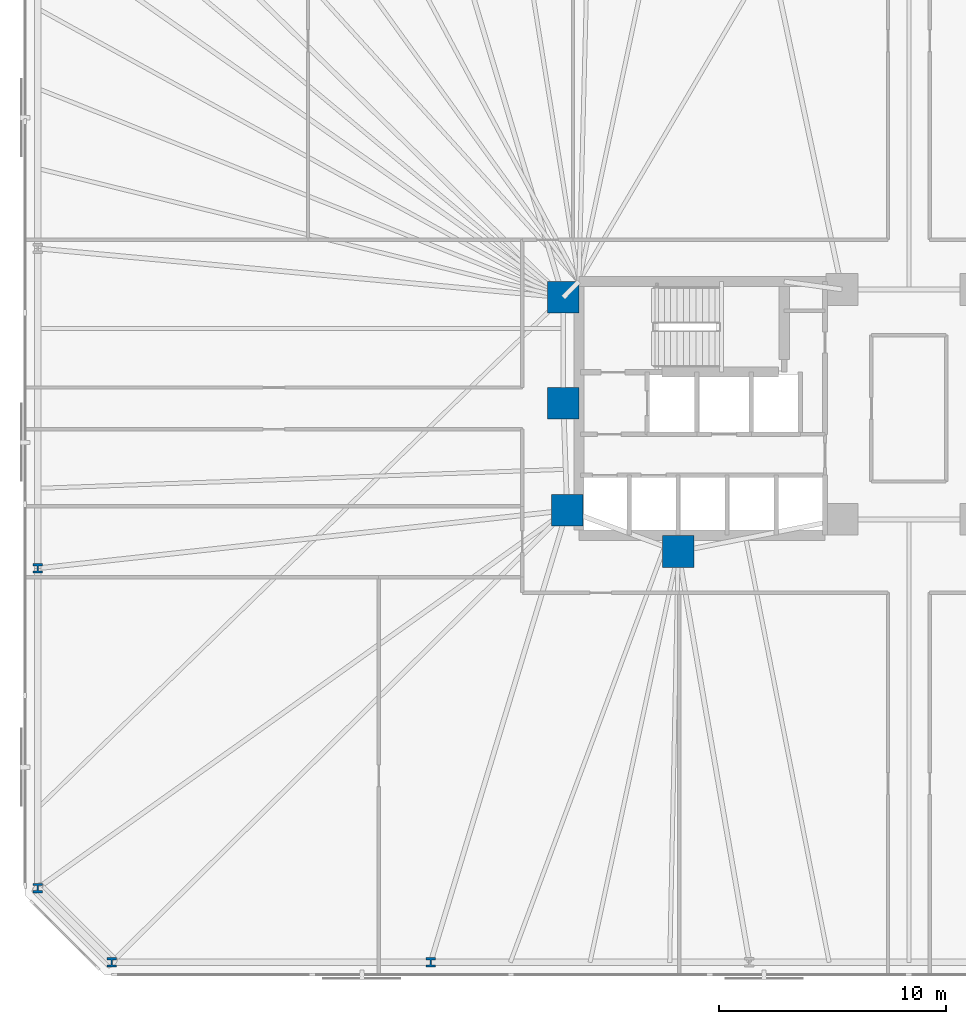
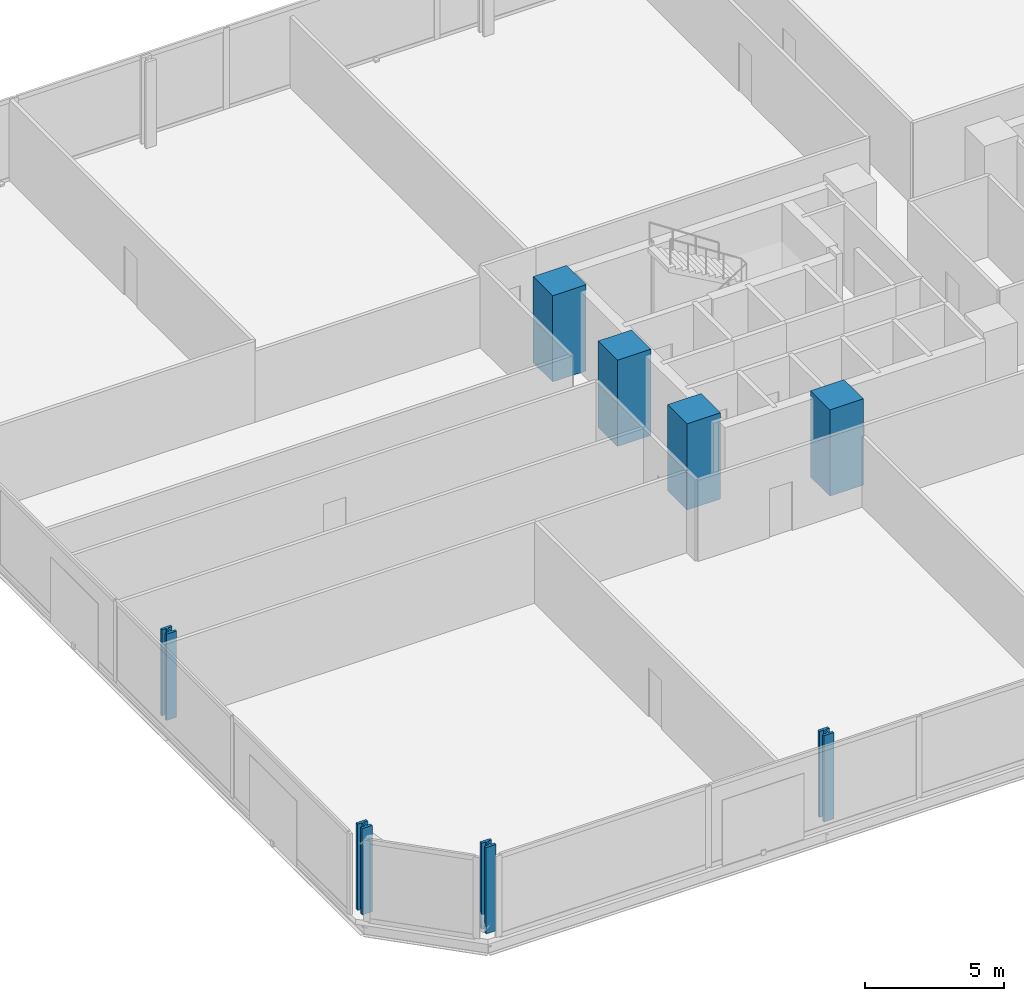
# One storey, part 1 of 17: 8 columns.
"""IFC4 building model written with IfcOpenShell, lengths in metres."""

from ifc_helpers import new_model, si_unit, direction, frame, origin, origin_2d, place, context, subcontext, project, spatial, rectangle, i_section, extrude, material, material_profile, profile_set, type_object, element, save


model = new_model("IFC4")

# Units and contexts
model_context = context("Model", 3, precision=1e-05, world=origin(), true_north=direction((0.0, 1.0)))
body_context = subcontext(model_context, "Body", "Model", "MODEL_VIEW")
ifc_project = project(units=[si_unit("LENGTHUNIT", "METRE"), si_unit("AREAUNIT", "SQUARE_METRE"), si_unit("VOLUMEUNIT", "CUBIC_METRE"), si_unit("PLANEANGLEUNIT", "RADIAN"), si_unit("MASSUNIT", "GRAM", prefix="KILO")], contexts=[model_context])

# Site, building, storey
site_placement = place(None, origin())
site = spatial("IfcSite", under=ifc_project, at=site_placement, CompositionType="ELEMENT")
building_placement = place(site_placement, origin())
building = spatial("IfcBuilding", under=site, at=building_placement, Name="Menara Jurai Vektor", CompositionType="ELEMENT")
storey_placement = place(building_placement, frame((0.0, 0.0, 71.199951171875)))
storey = spatial("IfcBuildingStorey", under=building, at=storey_placement, Name="L17", CompositionType="ELEMENT", Elevation=71.199951171875)

# Columns
ifc_material_1 = material(Name="Concrete C60/75", Category="concrete")
ifc_material_profile_1 = material_profile(ifc_material_1, rectangle(XDim=1.39990234375, YDim=1.39990234375, at=origin_2d()), Name="RC 1400x1400")
ifc_profile_set_1 = profile_set([ifc_material_profile_1], Name="Concrete C60/75")
column_type_1 = type_object("IfcColumnType", Name="STR-COL-RC1400", PredefinedType="COLUMN", material=ifc_profile_set_1)
for number, where, z_axis, x_axis, name in (
    (1, (-15.25, 4.89990234375, 0.0), (0.0, 0.0, 1.0), (1.0, 0.0, 0.0), "Core Spine Column CW-NW L17"),
    (2, (-15.25, 0.219970703125, 0.0), (0.0, 0.0, 1.0), (1.0, 0.0, 0.0), "Core Spine Column CW-WM L17"),
    (3, (-15.080078125, -4.5, 0.0), (0.0, 0.0, 1.0), (1.0, 0.0, 0.0), "Core Spine Column CW-SW L17"),
    (4, (-10.179931640625, -6.320068359375, 0.0), (0.0, 0.0, 1.0), (1.0, 0.0, 0.0), "Core Spine Column CW-SM L17"),
):
    element("IfcColumn", number, at=place(storey_placement, frame(where, z_axis=z_axis, x_axis=x_axis)), inside=storey, type_object=column_type_1, Name=name, PredefinedType="COLUMN", context=body_context, shape_type="SweptSolid", body=[
        extrude(rectangle(XDim=1.39990234375, YDim=1.39990234375, at=origin_2d()), origin(), (0.0, 0.0, 1.0), 3.800048828125),
    ])
ifc_material_2 = material(Name="Steel S460", Category="steel")
ifc_material_profile_2 = material_profile(ifc_material_2, i_section(OverallWidth=0.419921875, OverallDepth=0.430908203125, WebThickness=0.06494140625, FlangeThickness=0.10595703125, FilletRadius=0.014892578125, at=origin_2d()), Name="HD 400x900")
ifc_profile_set_2 = profile_set([ifc_material_profile_2], Name="Steel S460")
column_type_2 = type_object("IfcColumnType", Name="STR-EXO-BLK1", PredefinedType="COLUMN", material=ifc_profile_set_2)
for number, where, z_axis, x_axis, name in (
    (5, (-35.177734375, -24.449951171875, 0.0), (0.0, 0.0, 1.0), (1.0, 0.0, 0.0), "Exoskeleton Column BLK1-S1 L17"),
    (6, (-21.106689453125, -24.449951171875, 0.0), (0.0, 0.0, 1.0), (1.0, 0.0, 0.0), "Exoskeleton Column BLK1-S2 L17"),
    (7, (-38.449951171875, -7.059326171875, 0.0), (0.0, 0.0, 1.0), (1.0, 0.0, 0.0), "Exoskeleton Column BLK1-W3 L17"),
    (8, (-38.449951171875, -21.177734375, 0.0), (0.0, 0.0, 1.0), (1.0, 0.0, 0.0), "Exoskeleton Column BLK1-W4 L17"),
):
    element("IfcColumn", number, at=place(storey_placement, frame(where, z_axis=z_axis, x_axis=x_axis)), inside=storey, type_object=column_type_2, Name=name, PredefinedType="COLUMN", context=body_context, shape_type="SweptSolid", body=[
        extrude(i_section(OverallWidth=0.419921875, OverallDepth=0.430908203125, WebThickness=0.06494140625, FlangeThickness=0.10595703125, FilletRadius=0.014892578125, at=origin_2d()), origin(), (0.0, 0.0, 1.0), 3.800048828125),
    ])

save(model, "model.ifc")
